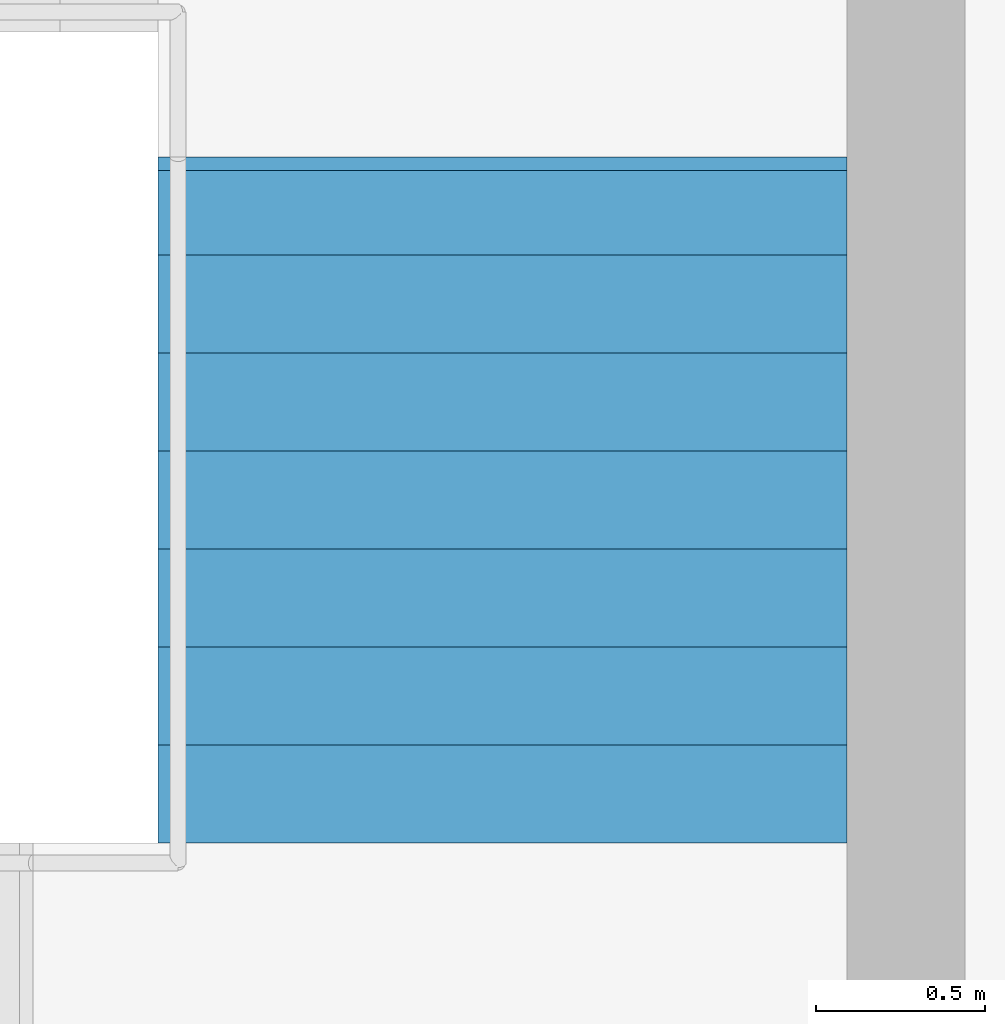
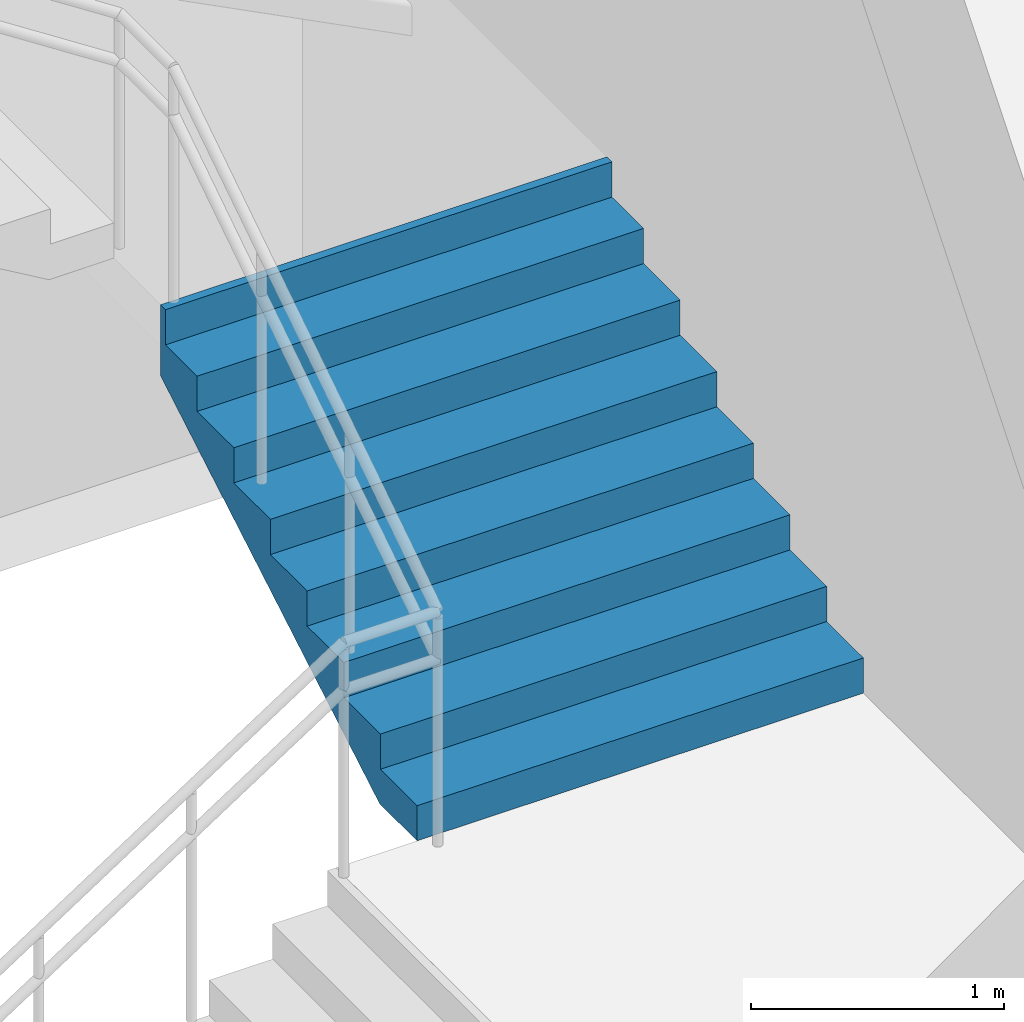
# One storey, part 64 of 74: 1 stair flight, 1 element without a shape of its own.
"""IFC4 building model written with IfcOpenShell, lengths in metres."""

from ifc_helpers import new_model, si_unit, direction, frame, origin, place, context, subcontext, project, spatial, triangles, material, type_object, element, aggregate, save


model = new_model("IFC4")

# Units and contexts
model_context = context("Model", 3, precision=1e-05, world=origin(), true_north=direction((0.0, 1.0)))
body_context = subcontext(model_context, "Body", "Model", "MODEL_VIEW")
ifc_project = project(units=[si_unit("LENGTHUNIT", "METRE"), si_unit("AREAUNIT", "SQUARE_METRE"), si_unit("VOLUMEUNIT", "CUBIC_METRE"), si_unit("PLANEANGLEUNIT", "RADIAN"), si_unit("MASSUNIT", "GRAM", prefix="KILO")], contexts=[model_context])

# Site, building, storey
site_placement = place(None, origin())
site = spatial("IfcSite", under=ifc_project, at=site_placement, CompositionType="ELEMENT")
building_placement = place(site_placement, origin())
building = spatial("IfcBuilding", under=site, at=building_placement, Name="Sillaruma Civic Art Gallery", CompositionType="ELEMENT")
storey_placement = place(building_placement, frame((0.0, 0.0, 5.43994140625)))
storey = spatial("IfcBuildingStorey", under=building, at=storey_placement, Name="L01", CompositionType="ELEMENT", Elevation=5.43994140625)

# Stair, stair flight
ifc_material = material(Name="Concrete H35 (35 MPa)", Category="concrete")
stair_type = type_object("IfcStairType", Name="STR-4F-32", PredefinedType="USERDEFINED", material=ifc_material)
stair_placement = place(storey_placement, origin())
stair = element("IfcStair", 1, at=stair_placement, inside=storey, type_object=stair_type, Name="Protected Exit Stair ST-02 (West Bar North) (L01)", ObjectType="THREE_RETURN_STAIR", PredefinedType="USERDEFINED")
stair_flight_type = type_object("IfcStairFlightType", Name="SFL-STR-8", PredefinedType="STRAIGHT", material=ifc_material)
stair_flight_placement = place(storey_placement, frame((68.219970703125, 82.949951171875, 1.360107421875), z_axis=(0.0, 0.0, 1.0), x_axis=(0.0, 1.0, 0.0)))
stair_flight = element("IfcStairFlight", 2, at=stair_flight_placement, type_object=stair_flight_type, Name="ST-02 flight 2", NumberOfRisers=8, NumberOfTreads=7, PredefinedType="STRAIGHT", RiserHeight=0.17, TreadLength=0.29, context=body_context, shape_type="Tessellation", body=[
    triangles([(0.0, -1.02001953125, 0.0), (0.29, -1.02001953125, 0.0), (0.296443, -1.02001953125, 0.0), (0.58, -1.02001953125, 0.166223), (0.87, -1.02001953125, 0.336223), (1.16, -1.02001953125, 0.506223), (1.45, -1.02001953125, 0.676223), (1.74, -1.02001953125, 0.846223), (1.990029, -1.02001953125, 0.992792), (2.030029, -1.02001953125, 1.01624), (2.030029, -1.02001953125, 1.36), (1.990029, -1.02001953125, 1.36), (1.990029, -1.02001953125, 1.19), (1.74, -1.02001953125, 1.19), (1.74, -1.02001953125, 1.02), (1.45, -1.02001953125, 1.02), (1.45, -1.02001953125, 0.85), (1.16, -1.02001953125, 0.85), (1.16, -1.02001953125, 0.68), (0.87, -1.02001953125, 0.68), (0.87, -1.02001953125, 0.51), (0.58, -1.02001953125, 0.51), (0.58, -1.02001953125, 0.34), (0.296443, -1.02001953125, 0.34), (0.29, -1.02001953125, 0.34), (0.29, -1.02001953125, 0.17), (0.0, -1.02001953125, 0.17), (0.0, -0.05, 0.0), (0.29, -0.05, 0.0), (0.296443, -0.05, 0.0), (0.58, -0.05, 0.166223), (0.87, -0.05, 0.336223), (1.16, -0.05, 0.506223), (1.45, -0.05, 0.676223), (1.74, -0.05, 0.846223), (1.990029, -0.05, 0.992792), (2.030029, -0.05, 1.01624), (2.030029, -0.05, 1.36), (1.990029, -0.05, 1.36), (1.990029, -0.05, 1.19), (1.74, -0.05, 1.19), (1.74, -0.05, 1.02), (1.45, -0.05, 1.02), (1.45, -0.05, 0.85), (1.16, -0.05, 0.85), (1.16, -0.05, 0.68), (0.87, -0.05, 0.68), (0.87, -0.05, 0.51), (0.58, -0.05, 0.51), (0.58, -0.05, 0.34), (0.296443, -0.05, 0.34), (0.29, -0.05, 0.34), (0.29, -0.05, 0.17), (0.0, -0.05, 0.17), (0.0, -0.0375, 0.0), (0.29, -0.0375, 0.0), (0.296443, -0.0375, 0.0), (0.58, -0.0375, 0.166223), (0.87, -0.0375, 0.336223), (1.16, -0.0375, 0.506223), (1.45, -0.0375, 0.676223), (1.74, -0.0375, 0.846223), (1.990029, -0.0375, 0.992792), (2.030029, -0.0375, 1.01624), (2.030029, -0.0375, 1.36), (1.990029, -0.0375, 1.36), (1.990029, -0.0375, 1.19), (1.74, -0.0375, 1.19), (1.74, -0.0375, 1.02), (1.45, -0.0375, 1.02), (1.45, -0.0375, 0.85), (1.16, -0.0375, 0.85), (1.16, -0.0375, 0.68), (0.87, -0.0375, 0.68), (0.87, -0.0375, 0.51), (0.58, -0.0375, 0.51), (0.58, -0.0375, 0.34), (0.296443, -0.0375, 0.34), (0.29, -0.0375, 0.34), (0.29, -0.0375, 0.17), (0.0, -0.0375, 0.17), (0.0, -0.025, 0.0), (0.29, -0.025, 0.0), (0.296443, -0.025, 0.0), (0.58, -0.025, 0.166223), (0.87, -0.025, 0.336223), (1.16, -0.025, 0.506223), (1.45, -0.025, 0.676223), (1.74, -0.025, 0.846223), (1.990029, -0.025, 0.992792), (2.030029, -0.025, 1.01624), (2.030029, -0.025, 1.36), (1.990029, -0.025, 1.36), (1.990029, -0.025, 1.19), (1.74, -0.025, 1.19), (1.74, -0.025, 1.02), (1.45, -0.025, 1.02), (1.45, -0.025, 0.85), (1.16, -0.025, 0.85), (1.16, -0.025, 0.68), (0.87, -0.025, 0.68), (0.87, -0.025, 0.51), (0.58, -0.025, 0.51), (0.58, -0.025, 0.34), (0.296443, -0.025, 0.34), (0.29, -0.025, 0.34), (0.29, -0.025, 0.17), (0.0, -0.025, 0.17), (0.0, -0.0125, 0.0), (0.29, -0.0125, 0.0), (0.296443, -0.0125, 0.0), (0.58, -0.0125, 0.166223), (0.87, -0.0125, 0.336223), (1.16, -0.0125, 0.506223), (1.45, -0.0125, 0.676223), (1.74, -0.0125, 0.846223), (1.990029, -0.0125, 0.992792), (2.030029, -0.0125, 1.01624), (2.030029, -0.0125, 1.36), (1.990029, -0.0125, 1.36), (1.990029, -0.0125, 1.19), (1.74, -0.0125, 1.19), (1.74, -0.0125, 1.02), (1.45, -0.0125, 1.02), (1.45, -0.0125, 0.85), (1.16, -0.0125, 0.85), (1.16, -0.0125, 0.68), (0.87, -0.0125, 0.68), (0.87, -0.0125, 0.51), (0.58, -0.0125, 0.51), (0.58, -0.0125, 0.34), (0.296443, -0.0125, 0.34), (0.29, -0.0125, 0.34), (0.29, -0.0125, 0.17), (0.0, -0.0125, 0.17), (0.0, 0.0, 0.0), (0.29, 0.0, 0.0), (0.296443, 0.0, 0.0), (0.58, 0.0, 0.166223), (0.87, 0.0, 0.336223), (1.16, 0.0, 0.506223), (1.45, 0.0, 0.676223), (1.74, 0.0, 0.846223), (1.990029, 0.0, 0.992792), (2.030029, 0.0, 1.01624), (2.030029, 0.0, 1.36), (1.990029, 0.0, 1.36), (1.990029, 0.0, 1.19), (1.74, 0.0, 1.19), (1.74, 0.0, 1.02), (1.45, 0.0, 1.02), (1.45, 0.0, 0.85), (1.16, 0.0, 0.85), (1.16, 0.0, 0.68), (0.87, 0.0, 0.68), (0.87, 0.0, 0.51), (0.58, 0.0, 0.51), (0.58, 0.0, 0.34), (0.296443, 0.0, 0.34), (0.29, 0.0, 0.34), (0.29, 0.0, 0.17), (0.0, 0.0, 0.17), (0.0, 0.0125, 0.0), (0.29, 0.0125, 0.0), (0.296443, 0.0125, 0.0), (0.58, 0.0125, 0.166223), (0.87, 0.0125, 0.336223), (1.16, 0.0125, 0.506223), (1.45, 0.0125, 0.676223), (1.74, 0.0125, 0.846223), (1.990029, 0.0125, 0.992792), (2.030029, 0.0125, 1.01624), (2.030029, 0.0125, 1.36), (1.990029, 0.0125, 1.36), (1.990029, 0.0125, 1.19), (1.74, 0.0125, 1.19), (1.74, 0.0125, 1.02), (1.45, 0.0125, 1.02), (1.45, 0.0125, 0.85), (1.16, 0.0125, 0.85), (1.16, 0.0125, 0.68), (0.87, 0.0125, 0.68), (0.87, 0.0125, 0.51), (0.58, 0.0125, 0.51), (0.58, 0.0125, 0.34), (0.296443, 0.0125, 0.34), (0.29, 0.0125, 0.34), (0.29, 0.0125, 0.17), (0.0, 0.0125, 0.17), (0.0, 0.025, 0.0), (0.29, 0.025, 0.0), (0.296443, 0.025, 0.0), (0.58, 0.025, 0.166223), (0.87, 0.025, 0.336223), (1.16, 0.025, 0.506223), (1.45, 0.025, 0.676223), (1.74, 0.025, 0.846223), (1.990029, 0.025, 0.992792), (2.030029, 0.025, 1.01624), (2.030029, 0.025, 1.36), (1.990029, 0.025, 1.36), (1.990029, 0.025, 1.19), (1.74, 0.025, 1.19), (1.74, 0.025, 1.02), (1.45, 0.025, 1.02), (1.45, 0.025, 0.85), (1.16, 0.025, 0.85), (1.16, 0.025, 0.68), (0.87, 0.025, 0.68), (0.87, 0.025, 0.51), (0.58, 0.025, 0.51), (0.58, 0.025, 0.34), (0.296443, 0.025, 0.34), (0.29, 0.025, 0.34), (0.29, 0.025, 0.17), (0.0, 0.025, 0.17), (0.0, 0.0375, 0.0), (0.29, 0.0375, 0.0), (0.296443, 0.0375, 0.0), (0.58, 0.0375, 0.166223), (0.87, 0.0375, 0.336223), (1.16, 0.0375, 0.506223), (1.45, 0.0375, 0.676223), (1.74, 0.0375, 0.846223), (1.990029, 0.0375, 0.992792), (2.030029, 0.0375, 1.01624), (2.030029, 0.0375, 1.36), (1.990029, 0.0375, 1.36), (1.990029, 0.0375, 1.19), (1.74, 0.0375, 1.19), (1.74, 0.0375, 1.02), (1.45, 0.0375, 1.02), (1.45, 0.0375, 0.85), (1.16, 0.0375, 0.85), (1.16, 0.0375, 0.68), (0.87, 0.0375, 0.68), (0.87, 0.0375, 0.51), (0.58, 0.0375, 0.51), (0.58, 0.0375, 0.34), (0.296443, 0.0375, 0.34), (0.29, 0.0375, 0.34), (0.29, 0.0375, 0.17), (0.0, 0.0375, 0.17), (0.0, 0.05, 0.0), (0.29, 0.05, 0.0), (0.296443, 0.05, 0.0), (0.58, 0.05, 0.166223), (0.87, 0.05, 0.336223), (1.16, 0.05, 0.506223), (1.45, 0.05, 0.676223), (1.74, 0.05, 0.846223), (1.990029, 0.05, 0.992792), (2.030029, 0.05, 1.01624), (2.030029, 0.05, 1.36), (1.990029, 0.05, 1.36), (1.990029, 0.05, 1.19), (1.74, 0.05, 1.19), (1.74, 0.05, 1.02), (1.45, 0.05, 1.02), (1.45, 0.05, 0.85), (1.16, 0.05, 0.85), (1.16, 0.05, 0.68), (0.87, 0.05, 0.68), (0.87, 0.05, 0.51), (0.58, 0.05, 0.51), (0.58, 0.05, 0.34), (0.296443, 0.05, 0.34), (0.29, 0.05, 0.34), (0.29, 0.05, 0.17), (0.0, 0.05, 0.17), (0.0, 1.02001953125, 0.0), (0.29, 1.02001953125, 0.0), (0.296443, 1.02001953125, 0.0), (0.58, 1.02001953125, 0.166223), (0.87, 1.02001953125, 0.336223), (1.16, 1.02001953125, 0.506223), (1.45, 1.02001953125, 0.676223), (1.74, 1.02001953125, 0.846223), (1.990029, 1.02001953125, 0.992792), (2.030029, 1.02001953125, 1.01624), (2.030029, 1.02001953125, 1.36), (1.990029, 1.02001953125, 1.36), (1.990029, 1.02001953125, 1.19), (1.74, 1.02001953125, 1.19), (1.74, 1.02001953125, 1.02), (1.45, 1.02001953125, 1.02), (1.45, 1.02001953125, 0.85), (1.16, 1.02001953125, 0.85), (1.16, 1.02001953125, 0.68), (0.87, 1.02001953125, 0.68), (0.87, 1.02001953125, 0.51), (0.58, 1.02001953125, 0.51), (0.58, 1.02001953125, 0.34), (0.296443, 1.02001953125, 0.34), (0.29, 1.02001953125, 0.34), (0.29, 1.02001953125, 0.17), (0.0, 1.02001953125, 0.17)], [[1, 2, 26], [1, 26, 27], [2, 3, 24], [2, 24, 26], [26, 24, 25], [3, 4, 23], [3, 23, 24], [4, 5, 21], [4, 21, 23], [23, 21, 22], [5, 6, 19], [5, 19, 21], [21, 19, 20], [6, 7, 17], [6, 17, 19], [19, 17, 18], [7, 8, 15], [7, 15, 17], [17, 15, 16], [8, 9, 13], [8, 13, 15], [15, 13, 14], [9, 10, 11], [9, 11, 13], [13, 11, 12], [296, 272, 271], [297, 296, 271], [294, 273, 272], [296, 294, 272], [295, 294, 296], [293, 274, 273], [294, 293, 273], [291, 275, 274], [293, 291, 274], [292, 291, 293], [289, 276, 275], [291, 289, 275], [290, 289, 291], [287, 277, 276], [289, 287, 276], [288, 287, 289], [285, 278, 277], [287, 285, 277], [286, 285, 287], [283, 279, 278], [285, 283, 278], [284, 283, 285], [281, 280, 279], [283, 281, 279], [282, 281, 283], [2, 1, 28], [2, 28, 29], [3, 2, 29], [3, 29, 30], [4, 3, 30], [4, 30, 31], [5, 4, 31], [5, 31, 32], [6, 5, 32], [6, 32, 33], [7, 6, 33], [7, 33, 34], [8, 7, 34], [8, 34, 35], [9, 8, 35], [9, 35, 36], [10, 9, 36], [10, 36, 37], [11, 10, 37], [11, 37, 38], [12, 11, 38], [12, 38, 39], [13, 12, 39], [13, 39, 40], [14, 13, 40], [14, 40, 41], [15, 14, 41], [15, 41, 42], [16, 15, 42], [16, 42, 43], [17, 16, 43], [17, 43, 44], [18, 17, 44], [18, 44, 45], [19, 18, 45], [19, 45, 46], [20, 19, 46], [20, 46, 47], [21, 20, 47], [21, 47, 48], [22, 21, 48], [22, 48, 49], [23, 22, 49], [23, 49, 50], [24, 23, 50], [24, 50, 51], [25, 24, 51], [25, 51, 52], [26, 25, 52], [26, 52, 53], [27, 26, 53], [27, 53, 54], [1, 27, 54], [1, 54, 28], [29, 28, 55], [29, 55, 56], [30, 29, 56], [30, 56, 57], [31, 30, 57], [31, 57, 58], [32, 31, 58], [32, 58, 59], [33, 32, 59], [33, 59, 60], [34, 33, 60], [34, 60, 61], [35, 34, 61], [35, 61, 62], [36, 35, 62], [36, 62, 63], [37, 36, 63], [37, 63, 64], [38, 37, 64], [38, 64, 65], [39, 38, 65], [39, 65, 66], [40, 39, 66], [40, 66, 67], [41, 40, 67], [41, 67, 68], [42, 41, 68], [42, 68, 69], [43, 42, 69], [43, 69, 70], [44, 43, 70], [44, 70, 71], [45, 44, 71], [45, 71, 72], [46, 45, 72], [46, 72, 73], [47, 46, 73], [47, 73, 74], [48, 47, 74], [48, 74, 75], [49, 48, 75], [49, 75, 76], [50, 49, 76], [50, 76, 77], [51, 50, 77], [51, 77, 78], [52, 51, 78], [52, 78, 79], [53, 52, 79], [53, 79, 80], [54, 53, 80], [54, 80, 81], [28, 54, 81], [28, 81, 55], [56, 55, 82], [56, 82, 83], [57, 56, 83], [57, 83, 84], [58, 57, 84], [58, 84, 85], [59, 58, 85], [59, 85, 86], [60, 59, 86], [60, 86, 87], [61, 60, 87], [61, 87, 88], [62, 61, 88], [62, 88, 89], [63, 62, 89], [63, 89, 90], [64, 63, 90], [64, 90, 91], [65, 64, 91], [65, 91, 92], [66, 65, 92], [66, 92, 93], [67, 66, 93], [67, 93, 94], [68, 67, 94], [68, 94, 95], [69, 68, 95], [69, 95, 96], [70, 69, 96], [70, 96, 97], [71, 70, 97], [71, 97, 98], [72, 71, 98], [72, 98, 99], [73, 72, 99], [73, 99, 100], [74, 73, 100], [74, 100, 101], [75, 74, 101], [75, 101, 102], [76, 75, 102], [76, 102, 103], [77, 76, 103], [77, 103, 104], [78, 77, 104], [78, 104, 105], [79, 78, 105], [79, 105, 106], [80, 79, 106], [80, 106, 107], [81, 80, 107], [81, 107, 108], [55, 81, 108], [55, 108, 82], [83, 82, 109], [83, 109, 110], [84, 83, 110], [84, 110, 111], [85, 84, 111], [85, 111, 112], [86, 85, 112], [86, 112, 113], [87, 86, 113], [87, 113, 114], [88, 87, 114], [88, 114, 115], [89, 88, 115], [89, 115, 116], [90, 89, 116], [90, 116, 117], [91, 90, 117], [91, 117, 118], [92, 91, 118], [92, 118, 119], [93, 92, 119], [93, 119, 120], [94, 93, 120], [94, 120, 121], [95, 94, 121], [95, 121, 122], [96, 95, 122], [96, 122, 123], [97, 96, 123], [97, 123, 124], [98, 97, 124], [98, 124, 125], [99, 98, 125], [99, 125, 126], [100, 99, 126], [100, 126, 127], [101, 100, 127], [101, 127, 128], [102, 101, 128], [102, 128, 129], [103, 102, 129], [103, 129, 130], [104, 103, 130], [104, 130, 131], [105, 104, 131], [105, 131, 132], [106, 105, 132], [106, 132, 133], [107, 106, 133], [107, 133, 134], [108, 107, 134], [108, 134, 135], [82, 108, 135], [82, 135, 109], [110, 109, 136], [110, 136, 137], [111, 110, 137], [111, 137, 138], [112, 111, 138], [112, 138, 139], [113, 112, 139], [113, 139, 140], [114, 113, 140], [114, 140, 141], [115, 114, 141], [115, 141, 142], [116, 115, 142], [116, 142, 143], [117, 116, 143], [117, 143, 144], [118, 117, 144], [118, 144, 145], [119, 118, 145], [119, 145, 146], [120, 119, 146], [120, 146, 147], [121, 120, 147], [121, 147, 148], [122, 121, 148], [122, 148, 149], [123, 122, 149], [123, 149, 150], [124, 123, 150], [124, 150, 151], [125, 124, 151], [125, 151, 152], [126, 125, 152], [126, 152, 153], [127, 126, 153], [127, 153, 154], [128, 127, 154], [128, 154, 155], [129, 128, 155], [129, 155, 156], [130, 129, 156], [130, 156, 157], [131, 130, 157], [131, 157, 158], [132, 131, 158], [132, 158, 159], [133, 132, 159], [133, 159, 160], [134, 133, 160], [134, 160, 161], [135, 134, 161], [135, 161, 162], [109, 135, 162], [109, 162, 136], [137, 136, 163], [137, 163, 164], [138, 137, 164], [138, 164, 165], [139, 138, 165], [139, 165, 166], [140, 139, 166], [140, 166, 167], [141, 140, 167], [141, 167, 168], [142, 141, 168], [142, 168, 169], [143, 142, 169], [143, 169, 170], [144, 143, 170], [144, 170, 171], [145, 144, 171], [145, 171, 172], [146, 145, 172], [146, 172, 173], [147, 146, 173], [147, 173, 174], [148, 147, 174], [148, 174, 175], [149, 148, 175], [149, 175, 176], [150, 149, 176], [150, 176, 177], [151, 150, 177], [151, 177, 178], [152, 151, 178], [152, 178, 179], [153, 152, 179], [153, 179, 180], [154, 153, 180], [154, 180, 181], [155, 154, 181], [155, 181, 182], [156, 155, 182], [156, 182, 183], [157, 156, 183], [157, 183, 184], [158, 157, 184], [158, 184, 185], [159, 158, 185], [159, 185, 186], [160, 159, 186], [160, 186, 187], [161, 160, 187], [161, 187, 188], [162, 161, 188], [162, 188, 189], [136, 162, 189], [136, 189, 163], [164, 163, 190], [164, 190, 191], [165, 164, 191], [165, 191, 192], [166, 165, 192], [166, 192, 193], [167, 166, 193], [167, 193, 194], [168, 167, 194], [168, 194, 195], [169, 168, 195], [169, 195, 196], [170, 169, 196], [170, 196, 197], [171, 170, 197], [171, 197, 198], [172, 171, 198], [172, 198, 199], [173, 172, 199], [173, 199, 200], [174, 173, 200], [174, 200, 201], [175, 174, 201], [175, 201, 202], [176, 175, 202], [176, 202, 203], [177, 176, 203], [177, 203, 204], [178, 177, 204], [178, 204, 205], [179, 178, 205], [179, 205, 206], [180, 179, 206], [180, 206, 207], [181, 180, 207], [181, 207, 208], [182, 181, 208], [182, 208, 209], [183, 182, 209], [183, 209, 210], [184, 183, 210], [184, 210, 211], [185, 184, 211], [185, 211, 212], [186, 185, 212], [186, 212, 213], [187, 186, 213], [187, 213, 214], [188, 187, 214], [188, 214, 215], [189, 188, 215], [189, 215, 216], [163, 189, 216], [163, 216, 190], [191, 190, 217], [191, 217, 218], [192, 191, 218], [192, 218, 219], [193, 192, 219], [193, 219, 220], [194, 193, 220], [194, 220, 221], [195, 194, 221], [195, 221, 222], [196, 195, 222], [196, 222, 223], [197, 196, 223], [197, 223, 224], [198, 197, 224], [198, 224, 225], [199, 198, 225], [199, 225, 226], [200, 199, 226], [200, 226, 227], [201, 200, 227], [201, 227, 228], [202, 201, 228], [202, 228, 229], [203, 202, 229], [203, 229, 230], [204, 203, 230], [204, 230, 231], [205, 204, 231], [205, 231, 232], [206, 205, 232], [206, 232, 233], [207, 206, 233], [207, 233, 234], [208, 207, 234], [208, 234, 235], [209, 208, 235], [209, 235, 236], [210, 209, 236], [210, 236, 237], [211, 210, 237], [211, 237, 238], [212, 211, 238], [212, 238, 239], [213, 212, 239], [213, 239, 240], [214, 213, 240], [214, 240, 241], [215, 214, 241], [215, 241, 242], [216, 215, 242], [216, 242, 243], [190, 216, 243], [190, 243, 217], [218, 217, 244], [218, 244, 245], [219, 218, 245], [219, 245, 246], [220, 219, 246], [220, 246, 247], [221, 220, 247], [221, 247, 248], [222, 221, 248], [222, 248, 249], [223, 222, 249], [223, 249, 250], [224, 223, 250], [224, 250, 251], [225, 224, 251], [225, 251, 252], [226, 225, 252], [226, 252, 253], [227, 226, 253], [227, 253, 254], [228, 227, 254], [228, 254, 255], [229, 228, 255], [229, 255, 256], [230, 229, 256], [230, 256, 257], [231, 230, 257], [231, 257, 258], [232, 231, 258], [232, 258, 259], [233, 232, 259], [233, 259, 260], [234, 233, 260], [234, 260, 261], [235, 234, 261], [235, 261, 262], [236, 235, 262], [236, 262, 263], [237, 236, 263], [237, 263, 264], [238, 237, 264], [238, 264, 265], [239, 238, 265], [239, 265, 266], [240, 239, 266], [240, 266, 267], [241, 240, 267], [241, 267, 268], [242, 241, 268], [242, 268, 269], [243, 242, 269], [243, 269, 270], [217, 243, 270], [217, 270, 244], [245, 244, 271], [245, 271, 272], [246, 245, 272], [246, 272, 273], [247, 246, 273], [247, 273, 274], [248, 247, 274], [248, 274, 275], [249, 248, 275], [249, 275, 276], [250, 249, 276], [250, 276, 277], [251, 250, 277], [251, 277, 278], [252, 251, 278], [252, 278, 279], [253, 252, 279], [253, 279, 280], [254, 253, 280], [254, 280, 281], [255, 254, 281], [255, 281, 282], [256, 255, 282], [256, 282, 283], [257, 256, 283], [257, 283, 284], [258, 257, 284], [258, 284, 285], [259, 258, 285], [259, 285, 286], [260, 259, 286], [260, 286, 287], [261, 260, 287], [261, 287, 288], [262, 261, 288], [262, 288, 289], [263, 262, 289], [263, 289, 290], [264, 263, 290], [264, 290, 291], [265, 264, 291], [265, 291, 292], [266, 265, 292], [266, 292, 293], [267, 266, 293], [267, 293, 294], [268, 267, 294], [268, 294, 295], [269, 268, 295], [269, 295, 296], [270, 269, 296], [270, 296, 297], [244, 270, 297], [244, 297, 271]], closed=True),
])
aggregate(stair, [stair_flight])

save(model, "model.ifc")
